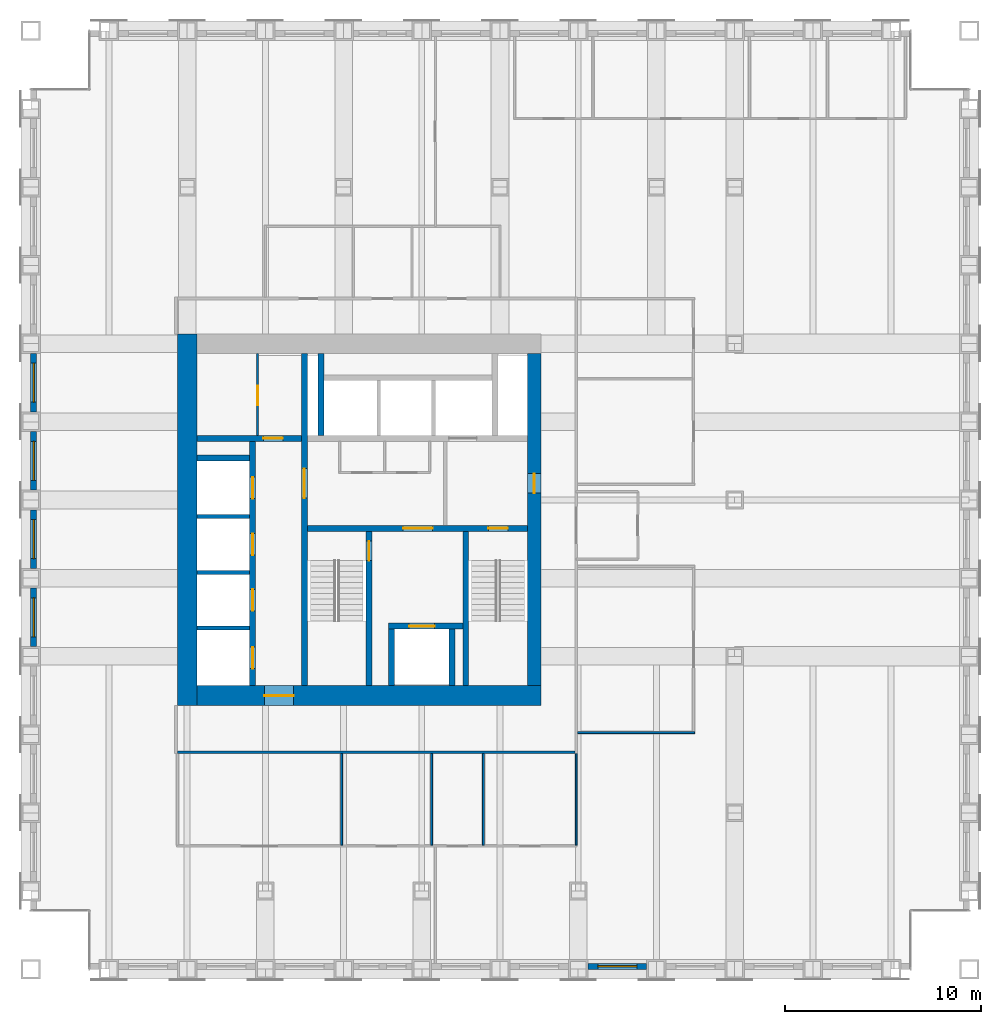
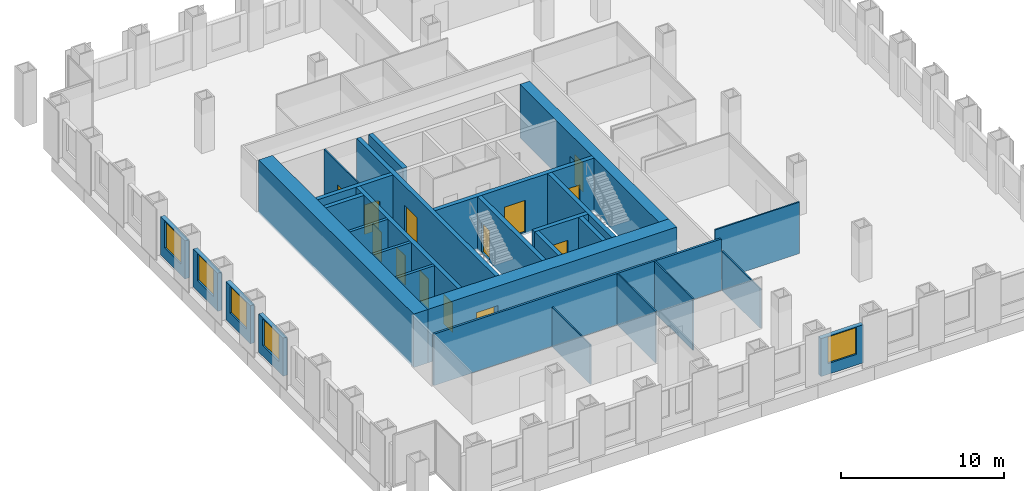
# One storey, part 11 of 15: 29 walls, 13 doors, 5 windows, 18 openings.
"""IFC4 building model written with IfcOpenShell, lengths in metres."""

from ifc_helpers import new_model, si_unit, direction, frame, frame_2d, origin, place, context, subcontext, project, spatial, rectangle, extrude, material, layer, layer_set, type_object, element, fill, save


model = new_model("IFC4")

# Units and contexts
model_context = context("Model", 3, precision=1e-05, world=origin(), true_north=direction((0.0, 1.0)))
body_context = subcontext(model_context, "Body", "Model", "MODEL_VIEW")
ifc_project = project(units=[si_unit("LENGTHUNIT", "METRE"), si_unit("AREAUNIT", "SQUARE_METRE"), si_unit("VOLUMEUNIT", "CUBIC_METRE"), si_unit("PLANEANGLEUNIT", "RADIAN"), si_unit("MASSUNIT", "GRAM", prefix="KILO")], contexts=[model_context])

# Site, building, storey
site_placement = place(None, origin())
site = spatial("IfcSite", under=ifc_project, at=site_placement, CompositionType="ELEMENT")
building_placement = place(site_placement, origin())
building = spatial("IfcBuilding", under=site, at=building_placement, Name="Rimbunsela Tower", CompositionType="ELEMENT")
storey_placement = place(building_placement, frame((0.0, 0.0, 117.39990234375)))
storey = spatial("IfcBuildingStorey", under=building, at=storey_placement, Name="L28", CompositionType="ELEMENT", Elevation=117.39990234375)

# Wall, opening, door
ifc_material_1 = material(Name="Concrete fc' 80 MPa", Category="concrete")
ifc_layer_1 = layer(ifc_material_1, 0.300048828125)
ifc_layer_set_1 = layer_set([ifc_layer_1], Name="Core internal wall 300")
wall_type_1 = type_object("IfcWallType", Name="Core internal wall 300", PredefinedType="SHEAR", material=ifc_layer_set_1)
wall_1_placement = place(storey_placement, frame((24.0, 18.5, -0.14990234375), z_axis=(0.0, 0.0, 1.0), x_axis=(0.0, 1.0, 0.0)))
wall_1 = element("IfcWall", 1, at=wall_1_placement, inside=storey, type_object=wall_type_1, Name="Core wall at stair A", PredefinedType="SHEAR", context=body_context, shape_type="SweptSolid", body=[
    extrude(rectangle(XDim=17.0, YDim=0.300048828125, at=frame_2d((8.5, 0.0))), origin(), (0.0, 0.0, 1.0), 4.0),
])
opening_1_placement = place(wall_1_placement, frame((9.60009765625, 0.0, 0.14990234375)))
opening_1 = element("IfcOpeningElement", 2, at=opening_1_placement, cuts=wall_1, Name="Opening D03", PredefinedType="OPENING", context=body_context, shape_type="SweptSolid", body=[
    extrude(rectangle(XDim=1.5, YDim=2.39990234375, at=frame_2d((0.75, 1.199951171875))), frame((0.0, 0.159912109375, 0.0), z_axis=(0.0, -1.0, 0.0), x_axis=(1.0, 0.0, 0.0)), (0.0, 0.0, 1.0), 0.320068359375),
])
ifc_material_2 = material(Name="Steel door, fire rated", Category="steel")
door_type_1 = type_object("IfcDoorType", Name="Core lobby door 1500", OperationType="DOUBLE_DOOR_DOUBLE_SWING", PredefinedType="DOOR", material=ifc_material_2)
door_1_placement = place(opening_1_placement, origin())
door_1 = element("IfcDoor", 3, at=door_1_placement, inside=storey, type_object=door_type_1, Name="West lobby door", OperationType="DOUBLE_DOOR_DOUBLE_SWING", OverallHeight=2.39990234375, OverallWidth=1.5, PredefinedType="DOOR", context=body_context, shape_type="SweptSolid", body=[
    extrude(rectangle(XDim=1.5, YDim=2.39990234375, at=frame_2d((0.75, 1.199951171875))), frame((0.0, 0.02490234375, 0.0), z_axis=(0.0, -1.0, 0.0), x_axis=(1.0, 0.0, 0.0)), (0.0, 0.0, 1.0), 0.050048828125),
])
fill(opening_1, door_1)

# Wall, openings, doors
wall_2_placement = place(storey_placement, frame((24.14990234375, 26.550048828125, -0.14990234375), z_axis=(0.0, 0.0, 1.0), x_axis=(1.0, 0.0, 0.0)))
wall_2 = element("IfcWall", 4, at=wall_2_placement, inside=storey, type_object=wall_type_1, Name="Core wall lobby south", PredefinedType="SHEAR", context=body_context, shape_type="SweptSolid", body=[
    extrude(rectangle(XDim=11.25, YDim=0.300048828125, at=frame_2d((5.625, 0.0))), origin(), (0.0, 0.0, 1.0), 4.0),
])
opening_2_placement = place(wall_2_placement, frame((9.25, 0.0, 0.14990234375)))
opening_2 = element("IfcOpeningElement", 5, at=opening_2_placement, cuts=wall_2, Name="Opening D01", PredefinedType="OPENING", context=body_context, shape_type="SweptSolid", body=[
    extrude(rectangle(XDim=1.0, YDim=2.199951171875, at=frame_2d((0.5, 1.10009765625))), frame((0.0, 0.159912109375, 0.0), z_axis=(0.0, -1.0, 0.0), x_axis=(1.0, 0.0, 0.0)), (0.0, 0.0, 1.0), 0.320068359375),
])
opening_3_placement = place(wall_2_placement, frame((4.89990234375, 0.0, 0.14990234375)))
opening_3 = element("IfcOpeningElement", 6, at=opening_3_placement, cuts=wall_2, Name="Opening D03", PredefinedType="OPENING", context=body_context, shape_type="SweptSolid", body=[
    extrude(rectangle(XDim=1.5, YDim=2.39990234375, at=frame_2d((0.75, 1.199951171875))), frame((0.0, 0.159912109375, 0.0), z_axis=(0.0, -1.0, 0.0), x_axis=(1.0, 0.0, 0.0)), (0.0, 0.0, 1.0), 0.320068359375),
])
door_2_placement = place(opening_3_placement, origin())
door_2 = element("IfcDoor", 7, at=door_2_placement, inside=storey, type_object=door_type_1, Name="Firefighting lobby door", OperationType="DOUBLE_DOOR_DOUBLE_SWING", OverallHeight=2.39990234375, OverallWidth=1.5, PredefinedType="DOOR", context=body_context, shape_type="SweptSolid", body=[
    extrude(rectangle(XDim=1.5, YDim=2.39990234375, at=frame_2d((0.75, 1.199951171875))), frame((0.0, 0.02490234375, 0.0), z_axis=(0.0, -1.0, 0.0), x_axis=(1.0, 0.0, 0.0)), (0.0, 0.0, 1.0), 0.050048828125),
])
fill(opening_3, door_2)
ifc_material_3 = material(Name="Steel door, fire rated", Category="steel")
door_type_2 = type_object("IfcDoorType", Name="Stair door 1000", OperationType="SINGLE_SWING_RIGHT", PredefinedType="DOOR", material=ifc_material_3)
door_3_placement = place(opening_2_placement, frame((1.0, 0.0, 0.0), z_axis=(0.0, 0.0, 1.0), x_axis=(-1.0, 0.0, 0.0)))
door_3 = element("IfcDoor", 8, at=door_3_placement, inside=storey, type_object=door_type_2, Name="Stair B door", OperationType="SINGLE_SWING_RIGHT", OverallHeight=2.199951171875, OverallWidth=1.0, PredefinedType="DOOR", context=body_context, shape_type="SweptSolid", body=[
    extrude(rectangle(XDim=1.0, YDim=2.199951171875, at=frame_2d((0.5, 1.10009765625))), frame((0.0, 0.02490234375, 0.0), z_axis=(0.0, -1.0, 0.0), x_axis=(1.0, 0.0, 0.0)), (0.0, 0.0, 1.0), 0.050048828125),
])
fill(opening_2, door_3)

# Wall, opening, door
wall_3_placement = place(storey_placement, frame((27.300048828125, 18.5, -0.14990234375), z_axis=(0.0, 0.0, 1.0), x_axis=(0.0, 1.0, 0.0)))
wall_3 = element("IfcWall", 9, at=wall_3_placement, inside=storey, type_object=wall_type_1, Name="Stair A enclosure", PredefinedType="SHEAR", context=body_context, shape_type="SweptSolid", body=[
    extrude(rectangle(XDim=7.89990234375, YDim=0.300048828125, at=frame_2d((3.949951171875, 0.0))), origin(), (0.0, 0.0, 1.0), 4.0),
])
opening_4_placement = place(wall_3_placement, frame((6.39990234375, 0.0, 0.14990234375)))
opening_4 = element("IfcOpeningElement", 10, at=opening_4_placement, cuts=wall_3, Name="Opening D01", PredefinedType="OPENING", context=body_context, shape_type="SweptSolid", body=[
    extrude(rectangle(XDim=1.0, YDim=2.199951171875, at=frame_2d((0.5, 1.10009765625))), frame((0.0, 0.159912109375, 0.0), z_axis=(0.0, -1.0, 0.0), x_axis=(1.0, 0.0, 0.0)), (0.0, 0.0, 1.0), 0.320068359375),
])
door_4_placement = place(opening_4_placement, origin())
door_4 = element("IfcDoor", 11, at=door_4_placement, inside=storey, type_object=door_type_2, Name="Stair A door", OperationType="SINGLE_SWING_RIGHT", OverallHeight=2.199951171875, OverallWidth=1.0, PredefinedType="DOOR", context=body_context, shape_type="SweptSolid", body=[
    extrude(rectangle(XDim=1.0, YDim=2.199951171875, at=frame_2d((0.5, 1.10009765625))), frame((0.0, 0.02490234375, 0.0), z_axis=(0.0, -1.0, 0.0), x_axis=(1.0, 0.0, 0.0)), (0.0, 0.0, 1.0), 0.050048828125),
])
fill(opening_4, door_4)

# Walls
wall_4_placement = place(storey_placement, frame((32.25, 18.5, -0.14990234375), z_axis=(0.0, 0.0, 1.0), x_axis=(0.0, 1.0, 0.0)))
element("IfcWall", 12, at=wall_4_placement, inside=storey, type_object=wall_type_1, Name="Stair B enclosure", PredefinedType="SHEAR", context=body_context, shape_type="SweptSolid", body=[
    extrude(rectangle(XDim=7.89990234375, YDim=0.300048828125, at=frame_2d((3.949951171875, 0.0))), origin(), (0.0, 0.0, 1.0), 4.0),
])
for number, where, z_axis, x_axis, name in (
    (13, (28.449951171875, 18.5, -0.14990234375), (0.0, 0.0, 1.0), (0.0, 1.0, 0.0), "Firefighting lift shaft west"),
    (14, (31.550048828125, 18.5, -0.14990234375), (0.0, 0.0, 1.0), (0.0, 1.0, 0.0), "Firefighting lift shaft east"),
):
    element("IfcWall", number, at=place(storey_placement, frame(where, z_axis=z_axis, x_axis=x_axis)), inside=storey, type_object=wall_type_1, Name=name, PredefinedType="SHEAR", context=body_context, shape_type="SweptSolid", body=[
        extrude(rectangle(XDim=2.89990234375, YDim=0.300048828125, at=frame_2d((1.449951171875, 0.0))), origin(), (0.0, 0.0, 1.0), 4.0),
    ])

# Wall, opening, door
wall_5_placement = place(storey_placement, frame((28.300048828125, 21.550048828125, -0.14990234375), z_axis=(0.0, 0.0, 1.0), x_axis=(1.0, 0.0, 0.0)))
wall_5 = element("IfcWall", 15, at=wall_5_placement, inside=storey, type_object=wall_type_1, Name="Firefighting lift shaft front", PredefinedType="SHEAR", context=body_context, shape_type="SweptSolid", body=[
    extrude(rectangle(XDim=3.800048828125, YDim=0.300048828125, at=frame_2d((1.89990234375, 0.0))), origin(), (0.0, 0.0, 1.0), 4.0),
])
opening_5_placement = place(wall_5_placement, frame((1.050048828125, 0.0, 0.14990234375)))
opening_5 = element("IfcOpeningElement", 16, at=opening_5_placement, cuts=wall_5, Name="Opening LD2", PredefinedType="OPENING", context=body_context, shape_type="SweptSolid", body=[
    extrude(rectangle(XDim=1.300048828125, YDim=2.39990234375, at=frame_2d((0.64990234375, 1.199951171875))), frame((0.0, 0.159912109375, 0.0), z_axis=(0.0, -1.0, 0.0), x_axis=(1.0, 0.0, 0.0)), (0.0, 0.0, 1.0), 0.320068359375),
])
ifc_material_4 = material(Name="Steel door, fire rated", Category="steel")
door_type_3 = type_object("IfcDoorType", Name="Lift landing door 1300", OperationType="DOUBLE_DOOR_SLIDING", PredefinedType="DOOR", material=ifc_material_4)
door_5_placement = place(opening_5_placement, origin())
door_5 = element("IfcDoor", 17, at=door_5_placement, inside=storey, type_object=door_type_3, Name="Lift landing door FL1", OperationType="DOUBLE_DOOR_SLIDING", OverallHeight=2.39990234375, OverallWidth=1.300048828125, PredefinedType="DOOR", context=body_context, shape_type="SweptSolid", body=[
    extrude(rectangle(XDim=1.300048828125, YDim=2.39990234375, at=frame_2d((0.64990234375, 1.199951171875))), frame((0.0, 0.02490234375, 0.0), z_axis=(0.0, -1.0, 0.0), x_axis=(1.0, 0.0, 0.0)), (0.0, 0.0, 1.0), 0.050048828125),
])
fill(opening_5, door_5)

# Wall, openings, doors
wall_6_placement = place(storey_placement, frame((21.35009765625, 18.5, -0.14990234375), z_axis=(0.0, 0.0, 1.0), x_axis=(0.0, 1.0, 0.0)))
wall_6 = element("IfcWall", 18, at=wall_6_placement, inside=storey, type_object=wall_type_1, Name="Lift shaft front west", PredefinedType="SHEAR", context=body_context, shape_type="SweptSolid", body=[
    extrude(rectangle(XDim=12.5, YDim=0.300048828125, at=frame_2d((6.25, 0.0))), origin(), (0.0, 0.0, 1.0), 4.0),
])
opening_6_placement = place(wall_6_placement, frame((0.875, 0.0, 0.14990234375)))
opening_6 = element("IfcOpeningElement", 19, at=opening_6_placement, cuts=wall_6, Name="Opening LD1", PredefinedType="OPENING", context=body_context, shape_type="SweptSolid", body=[
    extrude(rectangle(XDim=1.10009765625, YDim=2.199951171875, at=frame_2d((0.550048828125, 1.10009765625))), frame((0.0, 0.159912109375, 0.0), z_axis=(0.0, -1.0, 0.0), x_axis=(1.0, 0.0, 0.0)), (0.0, 0.0, 1.0), 0.320068359375),
])
opening_7_placement = place(wall_6_placement, frame((3.824951171875, 0.0, 0.14990234375)))
opening_7 = element("IfcOpeningElement", 20, at=opening_7_placement, cuts=wall_6, Name="Opening LD1", PredefinedType="OPENING", context=body_context, shape_type="SweptSolid", body=[
    extrude(rectangle(XDim=1.10009765625, YDim=2.199951171875, at=frame_2d((0.550048828125, 1.10009765625))), frame((0.0, 0.159912109375, 0.0), z_axis=(0.0, -1.0, 0.0), x_axis=(1.0, 0.0, 0.0)), (0.0, 0.0, 1.0), 0.320068359375),
])
opening_8_placement = place(wall_6_placement, frame((6.675048828125, 0.0, 0.14990234375)))
opening_8 = element("IfcOpeningElement", 21, at=opening_8_placement, cuts=wall_6, Name="Opening LD1", PredefinedType="OPENING", context=body_context, shape_type="SweptSolid", body=[
    extrude(rectangle(XDim=1.10009765625, YDim=2.199951171875, at=frame_2d((0.550048828125, 1.10009765625))), frame((0.0, 0.159912109375, 0.0), z_axis=(0.0, -1.0, 0.0), x_axis=(1.0, 0.0, 0.0)), (0.0, 0.0, 1.0), 0.320068359375),
])
opening_9_placement = place(wall_6_placement, frame((9.574951171875, 0.0, 0.14990234375)))
opening_9 = element("IfcOpeningElement", 22, at=opening_9_placement, cuts=wall_6, Name="Opening LD1", PredefinedType="OPENING", context=body_context, shape_type="SweptSolid", body=[
    extrude(rectangle(XDim=1.10009765625, YDim=2.199951171875, at=frame_2d((0.550048828125, 1.10009765625))), frame((0.0, 0.159912109375, 0.0), z_axis=(0.0, -1.0, 0.0), x_axis=(1.0, 0.0, 0.0)), (0.0, 0.0, 1.0), 0.320068359375),
])
ifc_material_5 = material(Name="Steel door, fire rated", Category="steel")
door_type_4 = type_object("IfcDoorType", Name="Lift landing door 1100", OperationType="DOUBLE_DOOR_SLIDING", PredefinedType="DOOR", material=ifc_material_5)
door_6_placement = place(opening_6_placement, origin())
door_6 = element("IfcDoor", 23, at=door_6_placement, inside=storey, type_object=door_type_4, Name="Lift landing door ML1", OperationType="DOUBLE_DOOR_SLIDING", OverallHeight=2.199951171875, OverallWidth=1.10009765625, PredefinedType="DOOR", context=body_context, shape_type="SweptSolid", body=[
    extrude(rectangle(XDim=1.10009765625, YDim=2.199951171875, at=frame_2d((0.550048828125, 1.10009765625))), frame((0.0, 0.02490234375, 0.0), z_axis=(0.0, -1.0, 0.0), x_axis=(1.0, 0.0, 0.0)), (0.0, 0.0, 1.0), 0.050048828125),
])
fill(opening_6, door_6)
door_7_placement = place(opening_7_placement, origin())
door_7 = element("IfcDoor", 24, at=door_7_placement, inside=storey, type_object=door_type_4, Name="Lift landing door ML2", OperationType="DOUBLE_DOOR_SLIDING", OverallHeight=2.199951171875, OverallWidth=1.10009765625, PredefinedType="DOOR", context=body_context, shape_type="SweptSolid", body=[
    extrude(rectangle(XDim=1.10009765625, YDim=2.199951171875, at=frame_2d((0.550048828125, 1.10009765625))), frame((0.0, 0.02490234375, 0.0), z_axis=(0.0, -1.0, 0.0), x_axis=(1.0, 0.0, 0.0)), (0.0, 0.0, 1.0), 0.050048828125),
])
fill(opening_7, door_7)
door_8_placement = place(opening_8_placement, origin())
door_8 = element("IfcDoor", 25, at=door_8_placement, inside=storey, type_object=door_type_4, Name="Lift landing door ML3", OperationType="DOUBLE_DOOR_SLIDING", OverallHeight=2.199951171875, OverallWidth=1.10009765625, PredefinedType="DOOR", context=body_context, shape_type="SweptSolid", body=[
    extrude(rectangle(XDim=1.10009765625, YDim=2.199951171875, at=frame_2d((0.550048828125, 1.10009765625))), frame((0.0, 0.02490234375, 0.0), z_axis=(0.0, -1.0, 0.0), x_axis=(1.0, 0.0, 0.0)), (0.0, 0.0, 1.0), 0.050048828125),
])
fill(opening_8, door_8)
door_9_placement = place(opening_9_placement, origin())
door_9 = element("IfcDoor", 26, at=door_9_placement, inside=storey, type_object=door_type_4, Name="Lift landing door ML4", OperationType="DOUBLE_DOOR_SLIDING", OverallHeight=2.199951171875, OverallWidth=1.10009765625, PredefinedType="DOOR", context=body_context, shape_type="SweptSolid", body=[
    extrude(rectangle(XDim=1.10009765625, YDim=2.199951171875, at=frame_2d((0.550048828125, 1.10009765625))), frame((0.0, 0.02490234375, 0.0), z_axis=(0.0, -1.0, 0.0), x_axis=(1.0, 0.0, 0.0)), (0.0, 0.0, 1.0), 0.050048828125),
])
fill(opening_9, door_9)

# Wall, opening, door
wall_7_placement = place(storey_placement, frame((18.5, 31.14990234375, -0.14990234375), z_axis=(0.0, 0.0, 1.0), x_axis=(1.0, 0.0, 0.0)))
wall_7 = element("IfcWall", 27, at=wall_7_placement, inside=storey, type_object=wall_type_1, Name="Store wall", PredefinedType="SHEAR", context=body_context, shape_type="SweptSolid", body=[
    extrude(rectangle(XDim=5.35009765625, YDim=0.300048828125, at=frame_2d((2.675048828125, 0.0))), origin(), (0.0, 0.0, 1.0), 4.0),
])
opening_10_placement = place(wall_7_placement, frame((3.39990234375, 0.0, 0.14990234375)))
opening_10 = element("IfcOpeningElement", 28, at=opening_10_placement, cuts=wall_7, Name="Opening D19", PredefinedType="OPENING", context=body_context, shape_type="SweptSolid", body=[
    extrude(rectangle(XDim=1.0, YDim=2.199951171875, at=frame_2d((0.5, 1.10009765625))), frame((0.0, 0.159912109375, 0.0), z_axis=(0.0, -1.0, 0.0), x_axis=(1.0, 0.0, 0.0)), (0.0, 0.0, 1.0), 0.320068359375),
])
ifc_material_6 = material(Name="Steel door, fire rated", Category="steel")
door_type_5 = type_object("IfcDoorType", Name="Service door 1000 fire rated", OperationType="SINGLE_SWING_LEFT", PredefinedType="DOOR", material=ifc_material_6)
door_10_placement = place(opening_10_placement, origin())
door_10 = element("IfcDoor", 29, at=door_10_placement, inside=storey, type_object=door_type_5, Name="Staff pantry door", OperationType="SINGLE_SWING_LEFT", OverallHeight=2.199951171875, OverallWidth=1.0, PredefinedType="DOOR", context=body_context, shape_type="SweptSolid", body=[
    extrude(rectangle(XDim=1.0, YDim=2.199951171875, at=frame_2d((0.5, 1.10009765625))), frame((0.0, 0.02490234375, 0.0), z_axis=(0.0, -1.0, 0.0), x_axis=(1.0, 0.0, 0.0)), (0.0, 0.0, 1.0), 0.050048828125),
])
fill(opening_10, door_10)

# Walls
wall_8_placement = place(storey_placement, frame((18.5, 30.14990234375, -0.14990234375), z_axis=(0.0, 0.0, 1.0), x_axis=(1.0, 0.0, 0.0)))
element("IfcWall", 30, at=wall_8_placement, inside=storey, type_object=wall_type_1, Name="Lift shaft rear west", PredefinedType="SHEAR", context=body_context, shape_type="SweptSolid", body=[
    extrude(rectangle(XDim=2.699951171875, YDim=0.300048828125, at=frame_2d((1.35009765625, 0.0))), origin(), (0.0, 0.0, 1.0), 4.0),
])
wall_9_placement = place(storey_placement, frame((24.85009765625, 31.300048828125, -0.14990234375), z_axis=(0.0, 0.0, 1.0), x_axis=(0.0, 1.0, 0.0)))
element("IfcWall", 31, at=wall_9_placement, inside=storey, type_object=wall_type_1, Name="Riser wall", PredefinedType="SHEAR", context=body_context, shape_type="SweptSolid", body=[
    extrude(rectangle(XDim=4.199951171875, YDim=0.300048828125, at=frame_2d((2.10009765625, 0.0))), origin(), (0.0, 0.0, 1.0), 4.0),
])

# Wall, opening, door
ifc_material_7 = material(Name="Concrete blockwork", Category="masonry")
ifc_layer_2 = layer(ifc_material_7, 0.10009765625)
ifc_layer_set_2 = layer_set([ifc_layer_2], Name="Core room partition 100")
wall_type_2 = type_object("IfcWallType", Name="Core room partition 100", PredefinedType="PARTITIONING", material=ifc_layer_set_2)
wall_10_placement = place(storey_placement, frame((21.60009765625, 31.300048828125, 0.0), z_axis=(0.0, 0.0, 1.0), x_axis=(0.0, 1.0, 0.0)))
wall_10 = element("IfcWall", 32, at=wall_10_placement, inside=storey, type_object=wall_type_2, Name="Housekeeping store wall", PredefinedType="PARTITIONING", context=body_context, shape_type="SweptSolid", body=[
    extrude(rectangle(XDim=4.199951171875, YDim=0.10009765625, at=frame_2d((2.10009765625, 0.0))), origin(), (0.0, 0.0, 1.0), 3.85009765625),
])
opening_11_placement = place(wall_10_placement, frame((1.550048828125, 0.0, 0.0)))
opening_11 = element("IfcOpeningElement", 33, at=opening_11_placement, cuts=wall_10, Name="Opening D19", PredefinedType="OPENING", context=body_context, shape_type="SweptSolid", body=[
    extrude(rectangle(XDim=1.0, YDim=2.199951171875, at=frame_2d((0.5, 1.10009765625))), frame((0.0, 0.06005859375, 0.0), z_axis=(0.0, -1.0, 0.0), x_axis=(1.0, 0.0, 0.0)), (0.0, 0.0, 1.0), 0.1201171875),
])
door_11_placement = place(opening_11_placement, origin())
door_11 = element("IfcDoor", 34, at=door_11_placement, inside=storey, type_object=door_type_5, Name="Housekeeping store door", OperationType="SINGLE_SWING_LEFT", OverallHeight=2.199951171875, OverallWidth=1.0, PredefinedType="DOOR", context=body_context, shape_type="SweptSolid", body=[
    extrude(rectangle(XDim=1.0, YDim=2.199951171875, at=frame_2d((0.5, 1.10009765625))), frame((0.0, 0.02490234375, 0.0), z_axis=(0.0, -1.0, 0.0), x_axis=(1.0, 0.0, 0.0)), (0.0, 0.0, 1.0), 0.050048828125),
])
fill(opening_11, door_11)

# Wall
ifc_material_8 = material(Name="Concrete fc' 80 MPa", Category="concrete")
ifc_layer_3 = layer(ifc_material_8, 1.0)
ifc_layer_set_3 = layer_set([ifc_layer_3], Name="Core wall 1000")
wall_type_3 = type_object("IfcWallType", Name="Core wall 1000", PredefinedType="SHEAR", material=ifc_layer_set_3)
wall_11_placement = place(storey_placement, frame((18.0, 17.5, -0.14990234375), z_axis=(0.0, 0.0, 1.0), x_axis=(0.0, 1.0, 0.0)))
element("IfcWall", 35, at=wall_11_placement, inside=storey, type_object=wall_type_3, Name="Core wall west", PredefinedType="SHEAR", context=body_context, shape_type="SweptSolid", body=[
    extrude(rectangle(XDim=19.0, YDim=1.0, at=frame_2d((9.5, 0.0))), origin(), (0.0, 0.0, 1.0), 4.0),
])

# Wall, opening, door
wall_12_placement = place(storey_placement, frame((18.5, 18.0, -0.14990234375), z_axis=(0.0, 0.0, 1.0), x_axis=(1.0, 0.0, 0.0)))
wall_12 = element("IfcWall", 36, at=wall_12_placement, inside=storey, type_object=wall_type_3, Name="Core wall south", PredefinedType="SHEAR", context=body_context, shape_type="SweptSolid", body=[
    extrude(rectangle(XDim=17.60009765625, YDim=1.0, at=frame_2d((8.800048828125, 0.0))), origin(), (0.0, 0.0, 1.0), 4.0),
])
opening_12_placement = place(wall_12_placement, frame((3.449951171875, 0.0, 0.14990234375)))
opening_12 = element("IfcOpeningElement", 37, at=opening_12_placement, cuts=wall_12, Name="Opening D03", PredefinedType="OPENING", context=body_context, shape_type="SweptSolid", body=[
    extrude(rectangle(XDim=1.5, YDim=2.39990234375, at=frame_2d((0.75, 1.199951171875))), frame((0.0, 0.510009765625, 0.0), z_axis=(0.0, -1.0, 0.0), x_axis=(1.0, 0.0, 0.0)), (0.0, 0.0, 1.0), 1.02001953125),
])
door_12_placement = place(opening_12_placement, origin())
door_12 = element("IfcDoor", 38, at=door_12_placement, inside=storey, type_object=door_type_1, Name="Core door south", OperationType="DOUBLE_DOOR_DOUBLE_SWING", OverallHeight=2.39990234375, OverallWidth=1.5, PredefinedType="DOOR", context=body_context, shape_type="SweptSolid", body=[
    extrude(rectangle(XDim=1.5, YDim=2.39990234375, at=frame_2d((0.75, 1.199951171875))), frame((0.0, 0.02490234375, 0.0), z_axis=(0.0, -1.0, 0.0), x_axis=(1.0, 0.0, 0.0)), (0.0, 0.0, 1.0), 0.050048828125),
])
fill(opening_12, door_12)

ifc_material_9 = material(Name="Concrete fc' 80 MPa", Category="concrete")
ifc_layer_4 = layer(ifc_material_9, 0.699951171875)
ifc_layer_set_4 = layer_set([ifc_layer_4], Name="Core wall 700 east")
wall_type_4 = type_object("IfcWallType", Name="Core wall 700 east", PredefinedType="SHEAR", material=ifc_layer_set_4)
wall_13_placement = place(storey_placement, frame((35.75, 18.5, -0.14990234375), z_axis=(0.0, 0.0, 1.0), x_axis=(0.0, 1.0, 0.0)))
wall_13 = element("IfcWall", 39, at=wall_13_placement, inside=storey, type_object=wall_type_4, Name="Core wall east", PredefinedType="SHEAR", context=body_context, shape_type="SweptSolid", body=[
    extrude(rectangle(XDim=17.0, YDim=0.699951171875, at=frame_2d((8.5, 0.0))), origin(), (0.0, 0.0, 1.0), 4.0),
])
opening_13_placement = place(wall_13_placement, frame((9.85009765625, 0.0, 0.14990234375)))
opening_13 = element("IfcOpeningElement", 40, at=opening_13_placement, cuts=wall_13, Name="Opening D01", PredefinedType="OPENING", context=body_context, shape_type="SweptSolid", body=[
    extrude(rectangle(XDim=1.0, YDim=2.199951171875, at=frame_2d((0.5, 1.10009765625))), frame((0.0, 0.35986328125, 0.0), z_axis=(0.0, -1.0, 0.0), x_axis=(1.0, 0.0, 0.0)), (0.0, 0.0, 1.0), 0.719970703125),
])
door_13_placement = place(opening_13_placement, origin())
door_13 = element("IfcDoor", 41, at=door_13_placement, inside=storey, type_object=door_type_2, Name="Firefighting lobby 2 door", OperationType="SINGLE_SWING_RIGHT", OverallHeight=2.199951171875, OverallWidth=1.0, PredefinedType="DOOR", context=body_context, shape_type="SweptSolid", body=[
    extrude(rectangle(XDim=1.0, YDim=2.199951171875, at=frame_2d((0.5, 1.10009765625))), frame((0.0, 0.02490234375, 0.0), z_axis=(0.0, -1.0, 0.0), x_axis=(1.0, 0.0, 0.0)), (0.0, 0.0, 1.0), 0.050048828125),
])
fill(opening_13, door_13)

# Walls
ifc_material_10 = material(Name="Concrete blockwork", Category="masonry")
ifc_layer_5 = layer(ifc_material_10, 0.199951171875)
ifc_layer_set_5 = layer_set([ifc_layer_5], Name="Lift shaft wall 200")
wall_type_5 = type_object("IfcWallType", Name="Lift shaft wall 200", PredefinedType="SOLIDWALL", material=ifc_layer_set_5)
for number, where, z_axis, x_axis, name in (
    (42, (18.5, 21.449951171875, -0.14990234375), (0.0, 0.0, 1.0), (1.0, 0.0, 0.0), "Lift shaft separation"),
    (43, (18.5, 24.300048828125, -0.14990234375), (0.0, 0.0, 1.0), (1.0, 0.0, 0.0), "Lift shaft separation"),
    (44, (18.5, 27.14990234375, -0.14990234375), (0.0, 0.0, 1.0), (1.0, 0.0, 0.0), "Lift shaft separation"),
):
    element("IfcWall", number, at=place(storey_placement, frame(where, z_axis=z_axis, x_axis=x_axis)), inside=storey, type_object=wall_type_5, Name=name, PredefinedType="SOLIDWALL", context=body_context, shape_type="SweptSolid", body=[
        extrude(rectangle(XDim=2.699951171875, YDim=0.199951171875, at=frame_2d((1.35009765625, 0.0))), origin(), (0.0, 0.0, 1.0), 4.0),
    ])
ifc_material_11 = material(Name="Gypsum board on steel studs", Category="steel")
ifc_layer_6 = layer(ifc_material_11, 0.10009765625)
ifc_layer_set_6 = layer_set([ifc_layer_6], Name="Office partition 100")
wall_type_6 = type_object("IfcWallType", Name="Office partition 100", PredefinedType="PARTITIONING", material=ifc_layer_set_6)
wall_14_placement = place(storey_placement, frame((37.97509765625, 16.10009765625, 0.0), z_axis=(0.0, 0.0, 1.0), x_axis=(1.0, 0.0, 0.0)))
element("IfcWall", 45, at=wall_14_placement, inside=storey, type_object=wall_type_6, Name="Office partition", PredefinedType="PARTITIONING", context=body_context, shape_type="SweptSolid", body=[
    extrude(rectangle(XDim=5.974853515625, YDim=0.10009765625, at=frame_2d((2.9873046875, 0.0))), origin(), (0.0, 0.0, 1.0), 3.85009765625),
])
wall_15_placement = place(storey_placement, frame((25.89990234375, 10.35009765625, 0.0), z_axis=(0.0, 0.0, 1.0), x_axis=(0.0, 1.0, 0.0)))
element("IfcWall", 46, at=wall_15_placement, inside=storey, type_object=wall_type_6, Name="Office partition", PredefinedType="PARTITIONING", context=body_context, shape_type="SweptSolid", body=[
    extrude(rectangle(XDim=4.6748046875, YDim=0.10009765625, at=frame_2d((2.33740234375, 0.0))), origin(), (0.0, 0.0, 1.0), 2.9501953125),
])
for number, where, z_axis, x_axis, name in (
    (47, (30.5, 10.35009765625, 0.0), (0.0, 0.0, 1.0), (0.0, 1.0, 0.0), "Office partition"),
    (48, (33.14990234375, 10.35009765625, 0.0), (0.0, 0.0, 1.0), (0.0, 1.0, 0.0), "Office partition"),
):
    element("IfcWall", number, at=place(storey_placement, frame(where, z_axis=z_axis, x_axis=x_axis)), inside=storey, type_object=wall_type_6, Name=name, PredefinedType="PARTITIONING", context=body_context, shape_type="SweptSolid", body=[
        extrude(rectangle(XDim=4.6748046875, YDim=0.10009765625, at=frame_2d((2.33740234375, 0.0))), origin(), (0.0, 0.0, 1.0), 3.85009765625),
    ])
wall_16_placement = place(storey_placement, frame((37.89990234375, 10.35009765625, 0.0), z_axis=(0.0, 0.0, 1.0), x_axis=(0.0, 1.0, 0.0)))
element("IfcWall", 49, at=wall_16_placement, inside=storey, type_object=wall_type_6, Name="Office partition", PredefinedType="PARTITIONING", context=body_context, shape_type="SweptSolid", body=[
    extrude(rectangle(XDim=4.6748046875, YDim=0.10009765625, at=frame_2d((2.33740234375, 0.0))), origin(), (0.0, 0.0, 1.0), 2.9501953125),
])

# Wall, opening, window
ifc_material_12 = material(Name="Precast concrete fc' 35 MPa", Category="concrete")
ifc_layer_7 = layer(ifc_material_12, 0.300048828125)
ifc_layer_set_7 = layer_set([ifc_layer_7], Name="Precast concrete fc' 35 MPa")
wall_type_7 = type_object("IfcWallType", Name="Precast facade panel 300", PredefinedType="ELEMENTEDWALL", material=ifc_layer_set_7)
wall_17_placement = place(storey_placement, frame((38.5, 4.14990234375, 0.0), z_axis=(0.0, 0.0, 1.0), x_axis=(1.0, 0.0, 0.0)))
wall_17 = element("IfcWall", 50, at=wall_17_placement, inside=storey, type_object=wall_type_7, Name="Facade panel S L28", PredefinedType="ELEMENTEDWALL", context=body_context, shape_type="SweptSolid", body=[
    extrude(rectangle(XDim=3.0, YDim=0.300048828125, at=frame_2d((1.5, 0.0))), origin(), (0.0, 0.0, 1.0), 2.85009765625),
])
opening_14_placement = place(wall_17_placement, frame((0.5, 0.0, 0.800048828125)))
opening_14 = element("IfcOpeningElement", 51, at=opening_14_placement, cuts=wall_17, Name="Opening W1", PredefinedType="OPENING", context=body_context, shape_type="SweptSolid", body=[
    extrude(rectangle(XDim=2.0, YDim=2.0, at=frame_2d((1.0, 1.0))), frame((0.0, 0.159912109375, 0.0), z_axis=(0.0, -1.0, 0.0), x_axis=(1.0, 0.0, 0.0)), (0.0, 0.0, 1.0), 0.320068359375),
])
ifc_material_13 = material(Name="Clear glass in aluminium frame", Category="aluminium")
window_type = type_object("IfcWindowType", Name="Window W1 2000x2000", PartitioningType="DOUBLE_PANEL_VERTICAL", PredefinedType="WINDOW", material=ifc_material_13)
window_1_placement = place(opening_14_placement, origin())
window_1 = element("IfcWindow", 52, at=window_1_placement, inside=storey, type_object=window_type, Name="Window L28", OverallHeight=2.0, OverallWidth=2.0, PartitioningType="SINGLE_PANEL", PredefinedType="WINDOW", context=body_context, shape_type="SweptSolid", body=[
    extrude(rectangle(XDim=2.0, YDim=2.0, at=frame_2d((1.0, 1.0))), frame((0.0, 0.030029296875, 0.0), z_axis=(0.0, -1.0, 0.0), x_axis=(1.0, 0.0, 0.0)), (0.0, 0.0, 1.0), 0.06005859375),
])
fill(opening_14, window_1)

wall_18_placement = place(storey_placement, frame((10.14990234375, 23.5, 0.0), z_axis=(0.0, 0.0, 1.0), x_axis=(0.0, -1.0, 0.0)))
wall_18 = element("IfcWall", 53, at=wall_18_placement, inside=storey, type_object=wall_type_7, Name="Facade panel W L28", PredefinedType="ELEMENTEDWALL", context=body_context, shape_type="SweptSolid", body=[
    extrude(rectangle(XDim=3.0, YDim=0.300048828125, at=frame_2d((1.5, 0.0))), origin(), (0.0, 0.0, 1.0), 2.85009765625),
])
opening_15_placement = place(wall_18_placement, frame((0.5, 0.0, 0.800048828125)))
opening_15 = element("IfcOpeningElement", 54, at=opening_15_placement, cuts=wall_18, Name="Opening W1", PredefinedType="OPENING", context=body_context, shape_type="SweptSolid", body=[
    extrude(rectangle(XDim=2.0, YDim=2.0, at=frame_2d((1.0, 1.0))), frame((0.0, 0.159912109375, 0.0), z_axis=(0.0, -1.0, 0.0), x_axis=(1.0, 0.0, 0.0)), (0.0, 0.0, 1.0), 0.320068359375),
])
window_2_placement = place(opening_15_placement, origin())
window_2 = element("IfcWindow", 55, at=window_2_placement, inside=storey, type_object=window_type, Name="Window L28", OverallHeight=2.0, OverallWidth=2.0, PartitioningType="SINGLE_PANEL", PredefinedType="WINDOW", context=body_context, shape_type="SweptSolid", body=[
    extrude(rectangle(XDim=2.0, YDim=2.0, at=frame_2d((1.0, 1.0))), frame((0.0, 0.030029296875, 0.0), z_axis=(0.0, -1.0, 0.0), x_axis=(1.0, 0.0, 0.0)), (0.0, 0.0, 1.0), 0.06005859375),
])
fill(opening_15, window_2)

wall_19_placement = place(storey_placement, frame((10.14990234375, 27.5, 0.0), z_axis=(0.0, 0.0, 1.0), x_axis=(0.0, -1.0, 0.0)))
wall_19 = element("IfcWall", 56, at=wall_19_placement, inside=storey, type_object=wall_type_7, Name="Facade panel W L28", PredefinedType="ELEMENTEDWALL", context=body_context, shape_type="SweptSolid", body=[
    extrude(rectangle(XDim=3.0, YDim=0.300048828125, at=frame_2d((1.5, 0.0))), origin(), (0.0, 0.0, 1.0), 2.85009765625),
])
opening_16_placement = place(wall_19_placement, frame((0.5, 0.0, 0.800048828125)))
opening_16 = element("IfcOpeningElement", 57, at=opening_16_placement, cuts=wall_19, Name="Opening W1", PredefinedType="OPENING", context=body_context, shape_type="SweptSolid", body=[
    extrude(rectangle(XDim=2.0, YDim=2.0, at=frame_2d((1.0, 1.0))), frame((0.0, 0.159912109375, 0.0), z_axis=(0.0, -1.0, 0.0), x_axis=(1.0, 0.0, 0.0)), (0.0, 0.0, 1.0), 0.320068359375),
])
window_3_placement = place(opening_16_placement, origin())
window_3 = element("IfcWindow", 58, at=window_3_placement, inside=storey, type_object=window_type, Name="Window L28", OverallHeight=2.0, OverallWidth=2.0, PartitioningType="SINGLE_PANEL", PredefinedType="WINDOW", context=body_context, shape_type="SweptSolid", body=[
    extrude(rectangle(XDim=2.0, YDim=2.0, at=frame_2d((1.0, 1.0))), frame((0.0, 0.030029296875, 0.0), z_axis=(0.0, -1.0, 0.0), x_axis=(1.0, 0.0, 0.0)), (0.0, 0.0, 1.0), 0.06005859375),
])
fill(opening_16, window_3)

wall_20_placement = place(storey_placement, frame((10.14990234375, 31.5, 0.0), z_axis=(0.0, 0.0, 1.0), x_axis=(0.0, -1.0, 0.0)))
wall_20 = element("IfcWall", 59, at=wall_20_placement, inside=storey, type_object=wall_type_7, Name="Facade panel W L28", PredefinedType="ELEMENTEDWALL", context=body_context, shape_type="SweptSolid", body=[
    extrude(rectangle(XDim=3.0, YDim=0.300048828125, at=frame_2d((1.5, 0.0))), origin(), (0.0, 0.0, 1.0), 2.85009765625),
])
opening_17_placement = place(wall_20_placement, frame((0.5, 0.0, 0.800048828125)))
opening_17 = element("IfcOpeningElement", 60, at=opening_17_placement, cuts=wall_20, Name="Opening W1", PredefinedType="OPENING", context=body_context, shape_type="SweptSolid", body=[
    extrude(rectangle(XDim=2.0, YDim=2.0, at=frame_2d((1.0, 1.0))), frame((0.0, 0.159912109375, 0.0), z_axis=(0.0, -1.0, 0.0), x_axis=(1.0, 0.0, 0.0)), (0.0, 0.0, 1.0), 0.320068359375),
])
window_4_placement = place(opening_17_placement, origin())
window_4 = element("IfcWindow", 61, at=window_4_placement, inside=storey, type_object=window_type, Name="Window L28", OverallHeight=2.0, OverallWidth=2.0, PartitioningType="SINGLE_PANEL", PredefinedType="WINDOW", context=body_context, shape_type="SweptSolid", body=[
    extrude(rectangle(XDim=2.0, YDim=2.0, at=frame_2d((1.0, 1.0))), frame((0.0, 0.030029296875, 0.0), z_axis=(0.0, -1.0, 0.0), x_axis=(1.0, 0.0, 0.0)), (0.0, 0.0, 1.0), 0.06005859375),
])
fill(opening_17, window_4)

wall_21_placement = place(storey_placement, frame((10.14990234375, 35.5, 0.0), z_axis=(0.0, 0.0, 1.0), x_axis=(0.0, -1.0, 0.0)))
wall_21 = element("IfcWall", 62, at=wall_21_placement, inside=storey, type_object=wall_type_7, Name="Facade panel W L28", PredefinedType="ELEMENTEDWALL", context=body_context, shape_type="SweptSolid", body=[
    extrude(rectangle(XDim=3.0, YDim=0.300048828125, at=frame_2d((1.5, 0.0))), origin(), (0.0, 0.0, 1.0), 2.85009765625),
])
opening_18_placement = place(wall_21_placement, frame((0.5, 0.0, 0.800048828125)))
opening_18 = element("IfcOpeningElement", 63, at=opening_18_placement, cuts=wall_21, Name="Opening W1", PredefinedType="OPENING", context=body_context, shape_type="SweptSolid", body=[
    extrude(rectangle(XDim=2.0, YDim=2.0, at=frame_2d((1.0, 1.0))), frame((0.0, 0.159912109375, 0.0), z_axis=(0.0, -1.0, 0.0), x_axis=(1.0, 0.0, 0.0)), (0.0, 0.0, 1.0), 0.320068359375),
])
window_5_placement = place(opening_18_placement, origin())
window_5 = element("IfcWindow", 64, at=window_5_placement, inside=storey, type_object=window_type, Name="Window L28", OverallHeight=2.0, OverallWidth=2.0, PartitioningType="SINGLE_PANEL", PredefinedType="WINDOW", context=body_context, shape_type="SweptSolid", body=[
    extrude(rectangle(XDim=2.0, YDim=2.0, at=frame_2d((1.0, 1.0))), frame((0.0, 0.030029296875, 0.0), z_axis=(0.0, -1.0, 0.0), x_axis=(1.0, 0.0, 0.0)), (0.0, 0.0, 1.0), 0.06005859375),
])
fill(opening_18, window_5)

# Wall
ifc_material_14 = material(Name="Fire-rated gypsum board on steel studs, EI 60", Category="steel")
ifc_layer_8 = layer(ifc_material_14, 0.14990234375)
ifc_layer_set_8 = layer_set([ifc_layer_8], Name="Rated corridor wall 150")
wall_type_8 = type_object("IfcWallType", Name="Rated corridor wall 150", PredefinedType="PARTITIONING", material=ifc_layer_set_8)
wall_22_placement = place(storey_placement, frame((17.5, 15.10009765625, 0.0), z_axis=(0.0, 0.0, 1.0), x_axis=(1.0, 0.0, 0.0)))
element("IfcWall", 65, at=wall_22_placement, inside=storey, type_object=wall_type_8, Name="Corridor wall south", PredefinedType="PARTITIONING", context=body_context, shape_type="SweptSolid", body=[
    extrude(rectangle(XDim=20.324951171875, YDim=0.14990234375, at=frame_2d((10.16259765625, 0.0))), origin(), (0.0, 0.0, 1.0), 3.85009765625),
])

save(model, "model.ifc")
